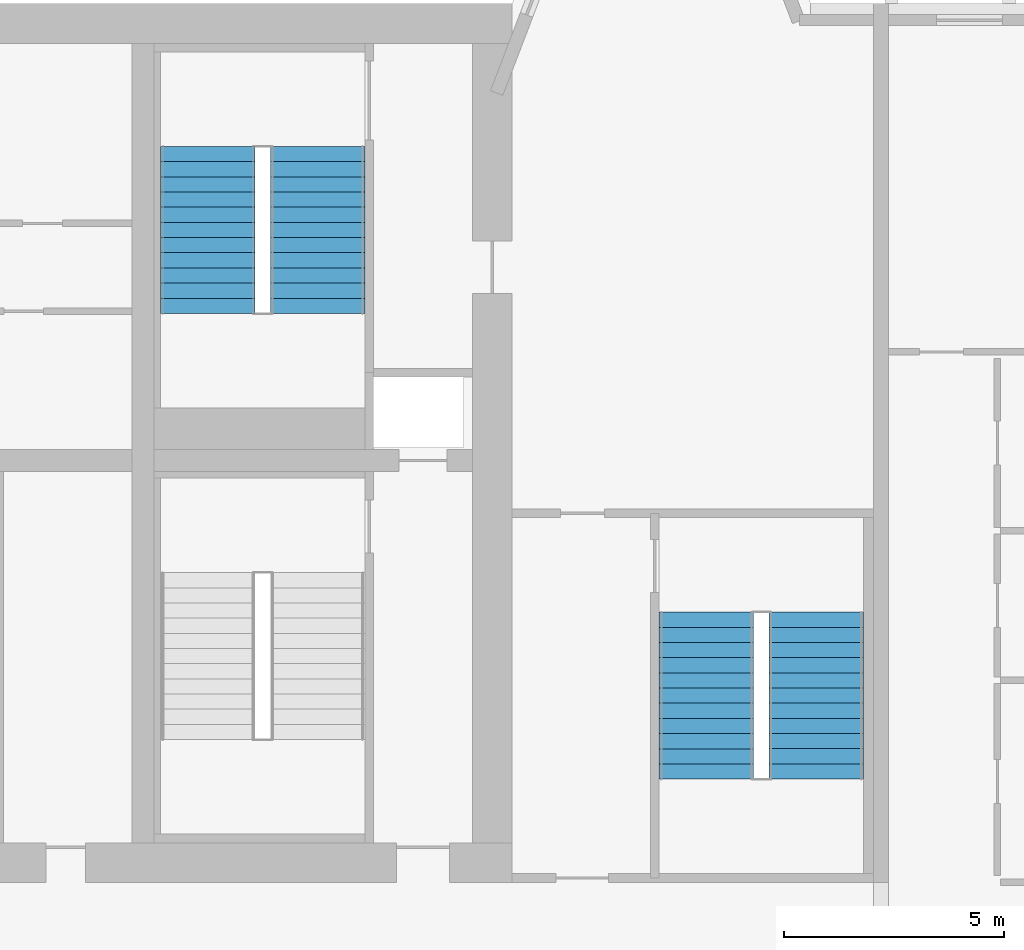
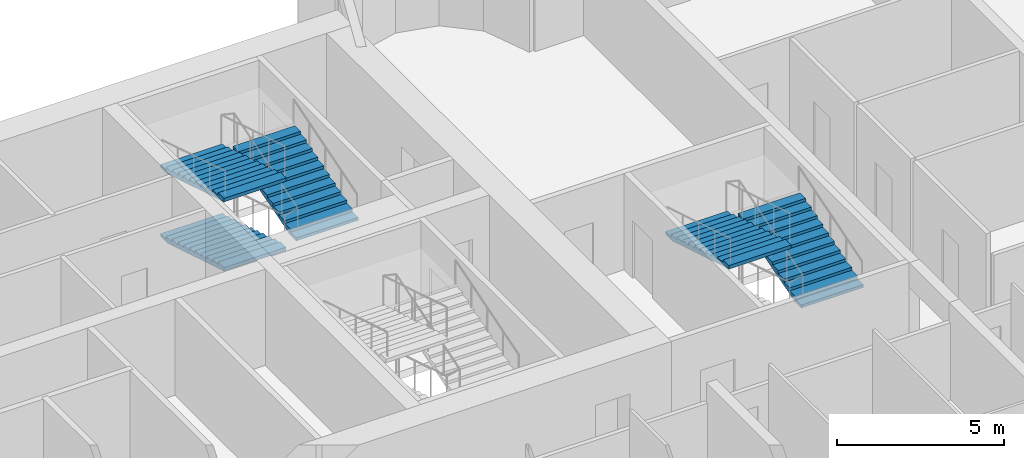
# One storey, part 12 of 15: 5 stair flights, 2 elements without a shape of their own.
"""IFC4 building model written with IfcOpenShell, lengths in metres."""

from ifc_helpers import new_model, si_unit, direction, frame, origin, place, context, subcontext, project, spatial, polyline, outline, extrude, source, transform, mapped, material, type_object, element, aggregate, save


model = new_model("IFC4")

# Units and contexts
model_context = context("Model", 3, precision=1e-05, world=origin(), true_north=direction((0.0, 1.0)))
body_context = subcontext(model_context, "Body", "Model", "MODEL_VIEW")
ifc_project = project(units=[si_unit("LENGTHUNIT", "METRE"), si_unit("AREAUNIT", "SQUARE_METRE"), si_unit("VOLUMEUNIT", "CUBIC_METRE"), si_unit("PLANEANGLEUNIT", "RADIAN"), si_unit("MASSUNIT", "GRAM", prefix="KILO")], contexts=[model_context])

# Site, building, storey
site_placement = place(None, origin())
site = spatial("IfcSite", under=ifc_project, at=site_placement, CompositionType="ELEMENT")
building_placement = place(site_placement, origin())
building = spatial("IfcBuilding", under=site, at=building_placement, Name="Vanashikhar Sky Hotel", CompositionType="ELEMENT")
storey_placement = place(building_placement, frame((0.0, 0.0, 110.39990234375)))
storey = spatial("IfcBuildingStorey", under=building, at=storey_placement, Name="L26", CompositionType="ELEMENT", Elevation=110.39990234375)

# Stair, stair flights
ifc_material = material(Name="Concrete M40", Category="concrete")
stair_type = type_object("IfcStairType", Name="Exit stair 2150", PredefinedType="DOUBLE_RETURN_STAIR", material=ifc_material)
stair_1_placement = place(storey_placement, origin())
stair_1 = element("IfcStair", 1, at=stair_1_placement, inside=storey, type_object=stair_type, Name="L26 Exit stair 4", PredefinedType="DOUBLE_RETURN_STAIR")
stair_flight_type = type_object("IfcStairFlightType", Name="Stair flight 2150", PredefinedType="STRAIGHT", material=ifc_material)
shared_shape = source(origin(), body_context, "Body", "SweptSolid", [
    extrude(outline(polyline([(0.0, 0.0), (0.0, 0.10546875), (0.345458984375, 0.10546875), (0.345458984375, 0.211181640625), (0.69091796875, 0.211181640625), (0.69091796875, 0.316650390625), (1.036376953125, 0.316650390625), (1.036376953125, 0.422119140625), (1.3818359375, 0.422119140625), (1.3818359375, 0.52783203125), (1.727294921875, 0.52783203125), (1.727294921875, 0.63330078125), (2.07275390625, 0.63330078125), (2.07275390625, 0.73876953125), (2.418212890625, 0.73876953125), (2.418212890625, 0.844482421875), (2.763671875, 0.844482421875), (2.763671875, 0.949951171875), (3.109130859375, 0.949951171875), (3.109130859375, 1.0556640625), (3.45458984375, 1.0556640625), (3.45458984375, 1.1611328125), (3.800048828125, 1.1611328125), (3.800048828125, 1.2666015625), (3.800048828125, 1.035400390625), (0.4111328125, 0.0), (0.0, 0.0)])), frame((0.0, 1.074951171875, 0.0), z_axis=(0.0, -1.0, 0.0), x_axis=(1.0, 0.0, 0.0)), (0.0, 0.0, 1.0), 2.14990234375),
])
stair_flight_1_placement = place(storey_placement, frame((82.52490234375, 24.35009765625, 1.266845703125), z_axis=(0.0, 0.0, 1.0), x_axis=(0.0, 1.0, 0.0)))
stair_flight_1 = element("IfcStairFlight", 2, at=stair_flight_1_placement, type_object=stair_flight_type, Name="ST-E flight 2", NumberOfRisers=12, NumberOfTreads=11, PredefinedType="STRAIGHT", RiserHeight=0.105555556, TreadLength=0.345454545, context=body_context, shape_type="MappedRepresentation", body=[
    mapped(shared_shape, transform((0.0, 0.0, 0.0), scale=1.0)),
])
stair_flight_2_placement = place(storey_placement, frame((80.02490234375, 28.14990234375, 2.533447265625), z_axis=(0.0, 0.0, 1.0), x_axis=(0.0, -1.0, 0.0)))
stair_flight_2 = element("IfcStairFlight", 3, at=stair_flight_2_placement, type_object=stair_flight_type, Name="ST-E flight 3", NumberOfRisers=12, NumberOfTreads=11, PredefinedType="STRAIGHT", RiserHeight=0.105555556, TreadLength=0.345454545, context=body_context, shape_type="MappedRepresentation", body=[
    mapped(shared_shape, transform((0.0, 0.0, 0.0), scale=1.0)),
])
aggregate(stair_1, [stair_flight_1, stair_flight_2])

stair_2_placement = place(storey_placement, origin())
stair_2 = element("IfcStair", 4, at=stair_2_placement, inside=storey, type_object=stair_type, Name="L26 Exit stair 6", PredefinedType="DOUBLE_RETURN_STAIR")
stair_flight_3_placement = place(storey_placement, frame((68.675048828125, 38.75, 0.0), z_axis=(0.0, 0.0, 1.0), x_axis=(0.0, -1.0, 0.0)))
stair_flight_3 = element("IfcStairFlight", 5, at=stair_flight_3_placement, type_object=stair_flight_type, Name="ST-C4 flight 1", NumberOfRisers=12, NumberOfTreads=11, PredefinedType="STRAIGHT", RiserHeight=0.105555556, TreadLength=0.345454545, context=body_context, shape_type="MappedRepresentation", body=[
    mapped(shared_shape, transform((0.0, 0.0, 0.0), scale=1.0)),
])
stair_flight_4_placement = place(storey_placement, frame((71.175048828125, 34.949951171875, 1.266845703125), z_axis=(0.0, 0.0, 1.0), x_axis=(0.0, 1.0, 0.0)))
stair_flight_4 = element("IfcStairFlight", 6, at=stair_flight_4_placement, type_object=stair_flight_type, Name="ST-C4 flight 2", NumberOfRisers=12, NumberOfTreads=11, PredefinedType="STRAIGHT", RiserHeight=0.105555556, TreadLength=0.345454545, context=body_context, shape_type="MappedRepresentation", body=[
    mapped(shared_shape, transform((0.0, 0.0, 0.0), scale=1.0)),
])
stair_flight_5_placement = place(storey_placement, frame((68.675048828125, 38.75, 2.533447265625), z_axis=(0.0, 0.0, 1.0), x_axis=(0.0, -1.0, 0.0)))
stair_flight_5 = element("IfcStairFlight", 7, at=stair_flight_5_placement, type_object=stair_flight_type, Name="ST-C4 flight 3", NumberOfRisers=12, NumberOfTreads=11, PredefinedType="STRAIGHT", RiserHeight=0.105555556, TreadLength=0.345454545, context=body_context, shape_type="MappedRepresentation", body=[
    mapped(shared_shape, transform((0.0, 0.0, 0.0), scale=1.0)),
])
aggregate(stair_2, [stair_flight_3, stair_flight_4, stair_flight_5])

save(model, "model.ifc")
